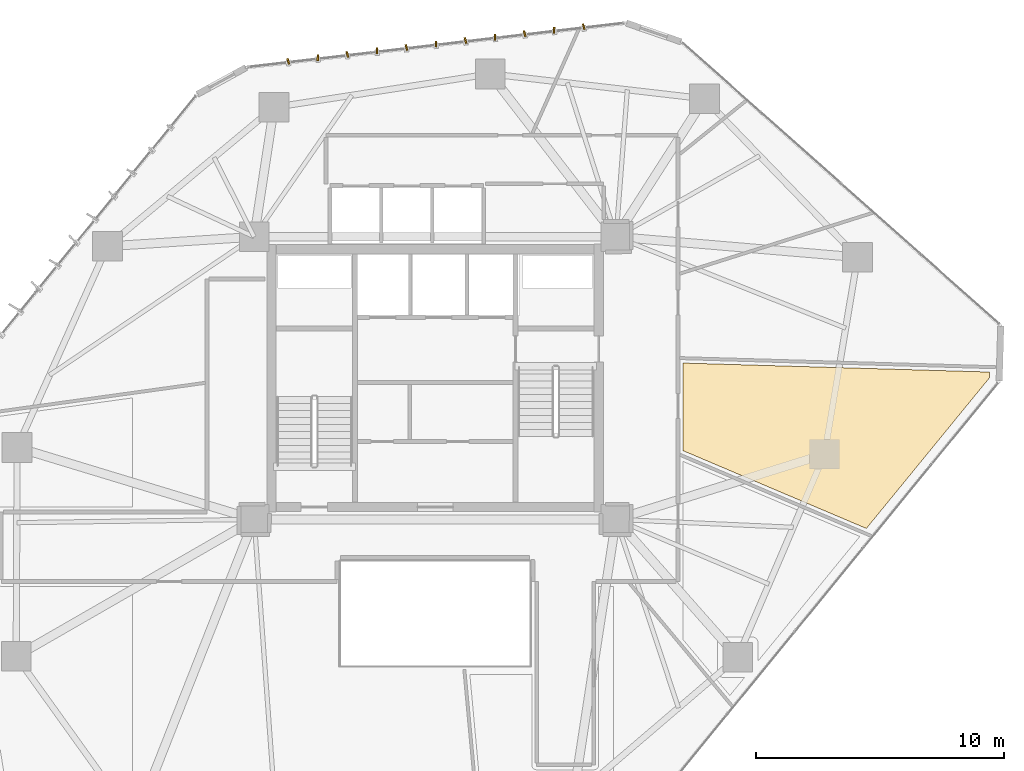
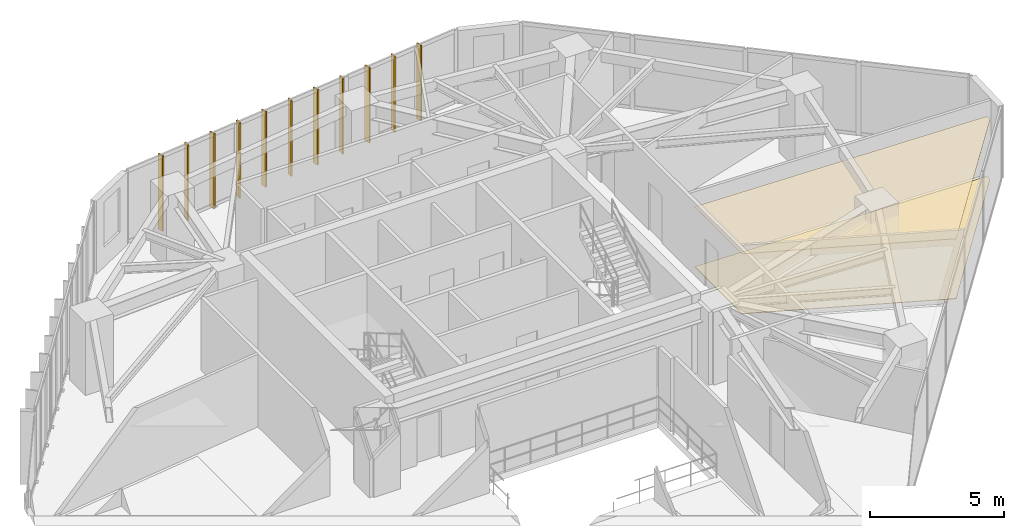
# One storey, part 24 of 24: 11 shading devices, 2 coverings.
"""IFC4 building model written with IfcOpenShell, lengths in metres."""

from ifc_helpers import new_model, si_unit, direction, frame, origin, origin_2d, place, context, subcontext, project, spatial, polyline, rectangle, outline, extrude, source, transform, mapped, material, layer, layer_set, type_object, type_shapes, element, save


model = new_model("IFC4")

# Units and contexts
model_context = context("Model", 3, precision=1e-05, world=origin(), true_north=direction((0.0, 1.0)))
body_context = subcontext(model_context, "Body", "Model", "MODEL_VIEW")
ifc_project = project(units=[si_unit("LENGTHUNIT", "METRE"), si_unit("AREAUNIT", "SQUARE_METRE"), si_unit("VOLUMEUNIT", "CUBIC_METRE"), si_unit("PLANEANGLEUNIT", "RADIAN"), si_unit("MASSUNIT", "GRAM", prefix="KILO")], contexts=[model_context])

# Site, building, storey
site_placement = place(None, origin())
site = spatial("IfcSite", under=ifc_project, at=site_placement, CompositionType="ELEMENT")
building_placement = place(site_placement, origin())
building = spatial("IfcBuilding", under=site, at=building_placement, Name="Talar Marvaseh", CompositionType="ELEMENT")
storey_placement = place(building_placement, frame((0.0, 0.0, 111.0)))
storey = spatial("IfcBuildingStorey", under=building, at=storey_placement, Name="L28", CompositionType="ELEMENT", Elevation=111.0)

# Coverings
ifc_material_1 = material(Name="Mineral Fibre Acoustic Ceiling")
ifc_layer_1 = layer(ifc_material_1, 0.02490234375)
ifc_layer_set_1 = layer_set([ifc_layer_1], Name="Mineral Fibre Acoustic Ceiling")
covering_type_1 = type_object("IfcCoveringType", Name="Perforated Mineral Fibre Acoustic Suspended Ceiling", PredefinedType="CEILING", material=ifc_layer_set_1)
covering_1_placement = place(storey_placement, frame((0.0, 0.0, 2.719970703125)))
element("IfcCovering", 1, at=covering_1_placement, inside=storey, type_object=covering_type_1, Name="L28 Visitor Orientation Foyer Acoustic Ceiling", PredefinedType="CEILING", context=body_context, shape_type="SweptSolid", body=[
    extrude(outline(polyline([(36.0, 31.8076171875), (48.367431640625, 31.44580078125), (48.360595703125, 31.208740234375), (43.396240234375, 25.134765625), (36.0, 28.2734375), (36.0, 31.8076171875)])), origin(), (0.0, 0.0, 1.0), 0.025146484375),
])
ifc_material_2 = material(Name="Porcelain Stoneware Tile", Category="masonry")
ifc_layer_2 = layer(ifc_material_2, 0.02001953125)
ifc_layer_set_2 = layer_set([ifc_layer_2], Name="Porcelain Stoneware Tile")
covering_type_2 = type_object("IfcCoveringType", Name="Polished Porcelain Stoneware Gallery Flooring", PredefinedType="FLOORING", material=ifc_layer_set_2)
covering_2_placement = place(storey_placement, origin())
element("IfcCovering", 2, at=covering_2_placement, inside=storey, type_object=covering_type_2, Name="L28 Visitor Orientation Foyer Flooring", PredefinedType="FLOORING", context=body_context, shape_type="SweptSolid", body=[
    extrude(outline(polyline([(36.0, 31.8076171875), (48.367431640625, 31.44580078125), (48.360595703125, 31.208740234375), (43.396240234375, 25.134765625), (36.0, 28.2734375), (36.0, 31.8076171875)])), origin(), (0.0, 0.0, 1.0), 0.02001953125),
])

# Shading devices
ifc_material_3 = material(Name="Anodised Champagne Bronze Aluminium", Category="aluminium")
ifc_layer_3 = layer(ifc_material_3, 0.06494140625)
ifc_layer_set_3 = layer_set([ifc_layer_3], Name="Anodised Champagne Bronze Aluminium")
shading_device_type = type_object("IfcShadingDeviceType", Name="Sawtooth Champagne Bronze Vertical Fin 240", PredefinedType="USERDEFINED", material=ifc_layer_set_3)
shared_shape = source(origin(), body_context, "Body", "SweptSolid", [
    extrude(rectangle(XDim=0.239990234375, YDim=0.06494140625, at=origin_2d()), origin(), (0.0, 0.0, 1.0), 3.429931640625),
])
type_shapes(shading_device_type, [shared_shape])
for number, where, z_axis, x_axis, name in (
    (3, (20.075927734375, 43.979736328125, -0.1201171875), (0.0, 0.0, 1.0), (-0.253420288991, 0.967356272077, 0.0), "L28 Sawtooth Vertical Solar Fin"),
    (4, (21.267822265625, 44.119384765625, -0.1201171875), (0.0, 0.0, 1.0), (0.023036308188, 0.999734629042, 0.0), "L28 Sawtooth Vertical Solar Fin"),
    (5, (22.459716796875, 44.259033203125, -0.1201171875), (0.0, 0.0, 1.0), (-0.253420288991, 0.967356272077, 0.0), "L28 Sawtooth Vertical Solar Fin"),
    (6, (23.651611328125, 44.398681640625, -0.1201171875), (0.0, 0.0, 1.0), (0.023036308188, 0.999734629042, 0.0), "L28 Sawtooth Vertical Solar Fin"),
    (7, (24.84326171875, 44.538330078125, -0.1201171875), (0.0, 0.0, 1.0), (-0.253420288991, 0.967356272077, 0.0), "L28 Sawtooth Vertical Solar Fin"),
    (8, (26.03515625, 44.677978515625, -0.1201171875), (0.0, 0.0, 1.0), (0.023036308188, 0.999734629042, 0.0), "L28 Sawtooth Vertical Solar Fin"),
    (9, (27.22705078125, 44.817626953125, -0.1201171875), (0.0, 0.0, 1.0), (-0.253420288991, 0.967356272077, 0.0), "L28 Sawtooth Vertical Solar Fin"),
    (10, (28.4189453125, 44.957275390625, -0.1201171875), (0.0, 0.0, 1.0), (0.023036308188, 0.999734629042, 0.0), "L28 Sawtooth Vertical Solar Fin"),
    (11, (29.610595703125, 45.096923828125, -0.1201171875), (0.0, 0.0, 1.0), (-0.253420288991, 0.967356272077, 0.0), "L28 Sawtooth Vertical Solar Fin"),
    (12, (30.802490234375, 45.236572265625, -0.1201171875), (0.0, 0.0, 1.0), (0.023036308188, 0.999734629042, 0.0), "L28 Sawtooth Vertical Solar Fin"),
    (13, (31.994384765625, 45.376220703125, -0.1201171875), (0.0, 0.0, 1.0), (-0.253420288991, 0.967356272077, 0.0), "L28 Sawtooth Vertical Solar Fin"),
):
    element("IfcShadingDevice", number, at=place(storey_placement, frame(where, z_axis=z_axis, x_axis=x_axis)), inside=storey, type_object=shading_device_type, Name=name, ObjectType="FIN", PredefinedType="USERDEFINED", context=body_context, shape_type="MappedRepresentation", body=[
        mapped(shared_shape, transform((0.0, 0.0, 0.0), x_axis=(1.0, 0.0, 0.0), y_axis=(0.0, 1.0, 0.0), z_axis=(0.0, 0.0, 1.0), scale=1.0)),
    ])

save(model, "model.ifc")
